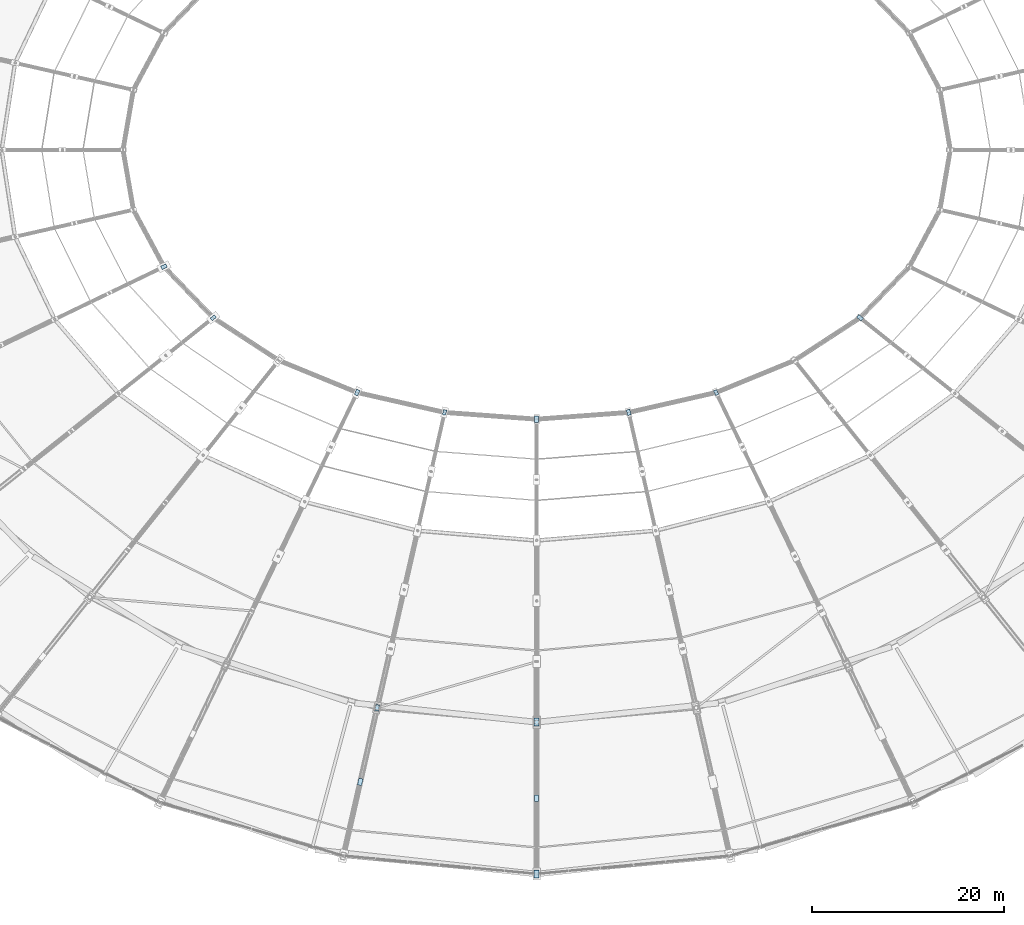
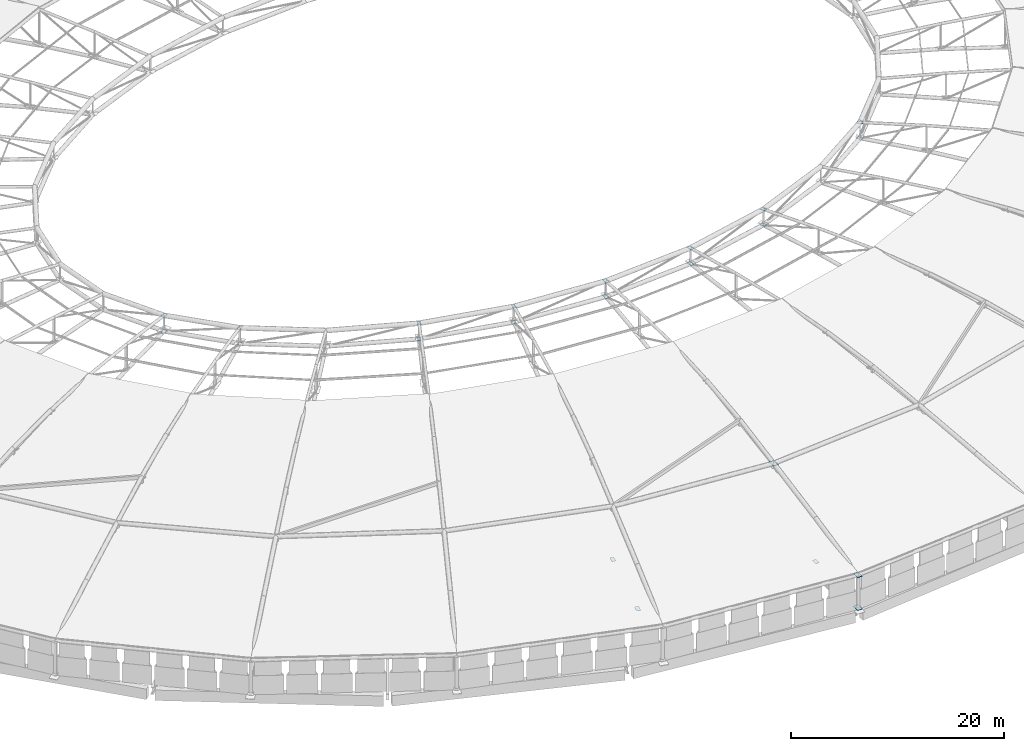
# One storey, part 96 of 108: 23 plates.
"""IFC4 building model written with IfcOpenShell, lengths in metres."""

import ifcopenshell
import ifcopenshell.guid

model = None  # the IFC model being written
_history = None  # IfcOwnerHistory: only IFC2X3 demands one
_inside = {}  # id of a spatial element -> (the spatial element, [elements in it])
_under = {}  # id of a project, library or spatial element -> (it, [spatial elements below it])
_declared = {}  # id of a project -> (the project, [libraries it declares])
_typed = {}  # id of a type object -> (the type object, [elements of that type])
_made_of = {}  # id of a material, layer set ... -> (it, [elements and type objects made of it])


def new_model(schema):
    """Start an empty IFC model of exactly this schema.

    Asked for "IFC4X3", IfcOpenShell would pick the latest addendum, in which some entities
    have other attributes; the version numbers below select the first issue.
    IFC2X3 requires an IfcOwnerHistory on every rooted entity: one is made here for all.
    """
    global model, _history
    if schema == "IFC4X3":
        model = ifcopenshell.file(schema_version=(4, 3, 0, 0))
    else:
        model = ifcopenshell.file(schema=schema)
    _inside.clear()
    _under.clear()
    _declared.clear()
    _typed.clear()
    _made_of.clear()
    _history = None
    if model.schema == "IFC2X3":
        org = make("IfcOrganization", Name="unknown")
        user = make(
            "IfcPersonAndOrganization",
            ThePerson=make("IfcPerson", FamilyName="unknown"),
            TheOrganization=org,
        )
        app = make(
            "IfcApplication",
            ApplicationDeveloper=org,
            Version="unknown",
            ApplicationFullName="unknown",
            ApplicationIdentifier="unknown",
        )
        _history = make(
            "IfcOwnerHistory",
            OwningUser=user,
            OwningApplication=app,
            ChangeAction="ADDED",
            CreationDate=0,
        )
    return model


def make(cls, **values):
    """One entity of the class cls with the attributes given. An attribute that is None is left unset."""
    return model.create_entity(
        cls, **{name: value for name, value in values.items() if value is not None}
    )


def rooted(cls, **values):
    """An entity with a GlobalId (a new one), such as an element, a storey or a relation."""
    return make(cls, GlobalId=ifcopenshell.guid.new(), OwnerHistory=_history, **values)


def si_unit(unit_type, name, prefix=None):
    """IfcSIUnit, for example si_unit("LENGTHUNIT", "METRE", prefix="MILLI")."""
    return make("IfcSIUnit", UnitType=unit_type, Prefix=prefix, Name=name)


def assignment(units):
    """IfcUnitAssignment: the units of a project."""
    return None if units is None else make("IfcUnitAssignment", Units=units)


def point(xyz):
    """IfcCartesianPoint."""
    return None if xyz is None else make("IfcCartesianPoint", Coordinates=xyz)


def direction(xyz):
    """IfcDirection."""
    return None if xyz is None else make("IfcDirection", DirectionRatios=xyz)


def frame(location, z_axis=None, x_axis=None):
    """IfcAxis2Placement3D, a coordinate frame: its origin and axes. An axis left out is left unset."""
    return make(
        "IfcAxis2Placement3D",
        Location=point(location),
        Axis=direction(z_axis),
        RefDirection=direction(x_axis),
    )


def frame_2d(location, x_axis=None):
    """IfcAxis2Placement2D, a coordinate frame in the plane: its origin and x axis."""
    return make(
        "IfcAxis2Placement2D", Location=point(location), RefDirection=direction(x_axis)
    )


def origin():
    """The frame at (0, 0, 0) with its axes left unset."""
    return frame((0.0, 0.0, 0.0))


def origin_2d():
    """The frame at (0, 0) in the plane with its x axis left unset."""
    return frame_2d((0.0, 0.0))


def place(relative_to, where):
    """IfcLocalPlacement: puts the frame where relative to a parent placement (None: the world)."""
    return make(
        "IfcLocalPlacement", PlacementRelTo=relative_to, RelativePlacement=where
    )


def context(
    kind, dimensions, precision=None, world=None, true_north=None, identifier=None
):
    """IfcGeometricRepresentationContext, for example the 3D "Model" context."""
    return make(
        "IfcGeometricRepresentationContext",
        ContextIdentifier=identifier,
        ContextType=kind,
        CoordinateSpaceDimension=dimensions,
        Precision=precision,
        WorldCoordinateSystem=world,
        TrueNorth=true_north,
    )


def subcontext(parent, identifier, kind, view, scale=None):
    """IfcGeometricRepresentationSubContext, for example "Body" below "Model"."""
    return make(
        "IfcGeometricRepresentationSubContext",
        ContextIdentifier=identifier,
        ContextType=kind,
        ParentContext=parent,
        TargetScale=scale,
        TargetView=view,
    )


def project(units=None, contexts=None):
    """IfcProject with its units and contexts."""
    return rooted(
        "IfcProject",
        Name="project",
        RepresentationContexts=contexts,
        UnitsInContext=assignment(units),
    )


def spatial(cls, under=None, at=None, **own):
    """A site, building, storey or space (cls), placed at a placement, below another one or the project."""
    s = rooted(cls, ObjectPlacement=at, **own)
    if under is not None:
        _under.setdefault(under.id(), (under, []))[1].append(s)
    return s


def profile(cls, at=None, kind="AREA", **sizes):
    """A parametric profile (cls). Its sizes go by their IFC names, for example OverallWidth=200.0."""
    return make(cls, ProfileType=kind, Position=at, **sizes)


def rectangle(**sizes):
    """IfcRectangleProfileDef."""
    return profile("IfcRectangleProfileDef", **sizes)


def extrude(swept, where, along, depth):
    """IfcExtrudedAreaSolid: the profile swept, set in the frame where, extruded along a direction by depth."""
    return make(
        "IfcExtrudedAreaSolid",
        SweptArea=swept,
        Position=where,
        ExtrudedDirection=direction(along),
        Depth=depth,
    )


def shape(context_of_items, identifier, shape_type, items):
    """IfcShapeRepresentation: the items that make up one representation, for example the "Body"."""
    return make(
        "IfcShapeRepresentation",
        ContextOfItems=context_of_items,
        RepresentationIdentifier=identifier,
        RepresentationType=shape_type,
        Items=items,
    )


def material(Name=None, Category=None):
    """IfcMaterial."""
    return make("IfcMaterial", Name=Name, Category=Category)


def layer(
    of_material, thickness, ventilated=None, Name=None, Category=None, Priority=None
):
    """IfcMaterialLayer: one layer of a wall or slab, of a material (None: an air gap)."""
    return make(
        "IfcMaterialLayer",
        Material=of_material,
        LayerThickness=thickness,
        IsVentilated=ventilated,
        Name=Name,
        Category=Category,
        Priority=Priority,
    )


def layer_set(layers, Name=None):
    """IfcMaterialLayerSet."""
    return make("IfcMaterialLayerSet", MaterialLayers=layers, LayerSetName=Name)


def made_of(thing, what):
    """Note that an element or type object is made of a material, layer set ...; save() writes the relation."""
    if what is not None:
        _made_of.setdefault(what.id(), (what, []))[1].append(thing)
    return thing


def type_object(cls, material=None, **own):
    """A type object (cls), such as IfcWallType, which elements share."""
    return made_of(rooted(cls, **own), material)


def element(
    cls,
    number,
    at=None,
    inside=None,
    cuts=None,
    type_object=None,
    material=None,
    context=None,
    identifier="Body",
    shape_type=None,
    held_by="IfcProductDefinitionShape",
    body=None,
    shapes=None,
    **own,
):
    """One element of the class cls, such as IfcWall. Its Tag is "e" and its number.

    at: its placement. inside: the storey or other place that contains it. cuts: it is an
    opening in that element (IfcRelVoidsElement). A single representation is given by context,
    identifier, shape_type and body (its items); several are given by shapes. held_by: the class
    of the entity that holds the representations. save() writes the other relations.
    """
    e = rooted(cls, Tag="e%d" % number, ObjectPlacement=at, **own)
    if body is not None:
        shapes = [shape(context, identifier, shape_type, body)]
    if shapes is not None:
        e.Representation = make(held_by, Representations=shapes)
    if inside is not None:
        _inside.setdefault(inside.id(), (inside, []))[1].append(e)
    if cuts is not None:
        rooted(
            "IfcRelVoidsElement", RelatingBuildingElement=cuts, RelatedOpeningElement=e
        )
    if type_object is not None:
        _typed.setdefault(type_object.id(), (type_object, []))[1].append(e)
    return made_of(e, material)


def aggregate(whole, parts):
    """IfcRelAggregates: a whole, such as a stair, and the parts it consists of."""
    return rooted("IfcRelAggregates", RelatingObject=whole, RelatedObjects=parts)


def save(model, path):
    """Write the relations noted so far, then the file.

    IfcRelAggregates (storeys below a building ...), IfcRelContainedInSpatialStructure (elements
    in a storey), IfcRelDefinesByType, IfcRelAssociatesMaterial and IfcRelDeclares: one each for
    every whole, place, type object, material and project.
    """
    for whole, parts in _under.values():
        aggregate(whole, parts)
    for where, things in _inside.values():
        rooted(
            "IfcRelContainedInSpatialStructure",
            RelatedElements=things,
            RelatingStructure=where,
        )
    for kind, things in _typed.values():
        rooted("IfcRelDefinesByType", RelatedObjects=things, RelatingType=kind)
    for what, things in _made_of.values():
        rooted("IfcRelAssociatesMaterial", RelatedObjects=things, RelatingMaterial=what)
    for by, libraries in _declared.values():
        rooted("IfcRelDeclares", RelatingContext=by, RelatedDefinitions=libraries)
    model.write(path)


model = new_model("IFC4")

# Units and contexts
model_context = context("Model", 3, precision=1e-05, world=origin(), true_north=direction((0.0, 1.0)))
body_context = subcontext(model_context, "Body", "Model", "MODEL_VIEW")
ifc_project = project(units=[si_unit("LENGTHUNIT", "METRE"), si_unit("AREAUNIT", "SQUARE_METRE"), si_unit("VOLUMEUNIT", "CUBIC_METRE"), si_unit("PLANEANGLEUNIT", "RADIAN"), si_unit("MASSUNIT", "GRAM", prefix="KILO")], contexts=[model_context])

# Site, building, storey
site_placement = place(None, origin())
site = spatial("IfcSite", under=ifc_project, at=site_placement, CompositionType="ELEMENT")
building_placement = place(site_placement, origin())
building = spatial("IfcBuilding", under=site, at=building_placement, Name="Zevraka Park Crest Stadium", CompositionType="ELEMENT")
storey_placement = place(building_placement, frame((0.0, 0.0, 29.39990234375)))
storey = spatial("IfcBuildingStorey", under=building, at=storey_placement, Name="RF", CompositionType="ELEMENT", Elevation=29.39990234375)

# Plates
ifc_material_1 = material(Name="Steel S355", Category="steel")
ifc_layer_1 = layer(ifc_material_1, 0.02490234375)
ifc_layer_set_1 = layer_set([ifc_layer_1], Name="Steel S355")
plate_type_1 = type_object("IfcPlateType", Name="EC01", PredefinedType="SHEET", material=ifc_layer_set_1)
for number, where, z_axis, x_axis, name in (
    (1, (112.0, 32.5, 7.1982421875), (0.0, 0.0, 1.0), (0.0, 1.0, 0.0), "Hollow Strut Top Closure Cap Plate EC01 T22-2"),
    (2, (112.0, 16.699951171875, 0.237548828125), (0.0, 0.0, 1.0), (0.0, 1.0, 0.0), "TN5 Hollow Chord End Cap Plate EC01 T22-HEEL-B"),
    (3, (112.0, 16.699951171875, 3.987548828125), (0.0, 0.0, 1.0), (0.0, 1.0, 0.0), "TN5 Hollow Chord End Cap Plate EC01 T22-HEEL-T"),
):
    element("IfcPlate", number, at=place(storey_placement, frame(where, z_axis=z_axis, x_axis=x_axis)), inside=storey, type_object=plate_type_1, Name=name, PredefinedType="SHEET", context=body_context, shape_type="SweptSolid", body=[
        extrude(rectangle(XDim=0.840087890625, YDim=0.5400390625, at=origin_2d()), origin(), (0.0, 0.0, 1.0), 0.02490234375),
    ])
ifc_material_2 = material(Name="Steel S355", Category="steel")
ifc_layer_2 = layer(ifc_material_2, 0.02490234375)
ifc_layer_set_2 = layer_set([ifc_layer_2], Name="Steel S355")
plate_type_2 = type_object("IfcPlateType", Name="EC02", PredefinedType="SHEET", material=ifc_layer_set_2)
plate_1_placement = place(storey_placement, frame((112.0, 16.699951171875, 3.998046875), z_axis=(0.0, 0.0, 1.0), x_axis=(0.0, 1.0, 0.0)))
element("IfcPlate", 4, at=plate_1_placement, inside=storey, type_object=plate_type_2, Name="Hollow Strut Top Closure Cap Plate EC02 T22-0", PredefinedType="SHEET", context=body_context, shape_type="SweptSolid", body=[
    extrude(rectangle(XDim=0.780029296875, YDim=0.5, at=origin_2d()), origin(), (0.0, 0.0, 1.0), 0.02490234375),
])
ifc_material_3 = material(Name="Steel S355", Category="steel")
ifc_layer_3 = layer(ifc_material_3, 0.02001953125)
ifc_layer_set_3 = layer_set([ifc_layer_3], Name="Steel S355")
plate_type_3 = type_object("IfcPlateType", Name="EC04", PredefinedType="SHEET", material=ifc_layer_set_3)
for number, where, z_axis, x_axis, name in (
    (5, (112.0, 64.0, 7.190185546875), (0.0, 0.0, 1.0), (0.0, 1.0, 0.0), "TN5 Hollow Chord End Cap Plate EC04 T22-TIP-B"),
    (6, (112.0, 64.0, 8.989990234375), (0.0, 0.0, 1.0), (0.0, 1.0, 0.0), "TN5 Hollow Chord End Cap Plate EC04 T22-TIP-T"),
):
    element("IfcPlate", number, at=place(storey_placement, frame(where, z_axis=z_axis, x_axis=x_axis)), inside=storey, type_object=plate_type_3, Name=name, PredefinedType="SHEET", context=body_context, shape_type="SweptSolid", body=[
        extrude(rectangle(XDim=0.659912109375, YDim=0.419921875, at=origin_2d()), origin(), (0.0, 0.0, 1.0), 0.02001953125),
    ])
ifc_material_4 = material(Name="Steel S355", Category="steel")
ifc_layer_4 = layer(ifc_material_4, 0.02001953125)
ifc_layer_set_4 = layer_set([ifc_layer_4], Name="Steel S355")
plate_type_4 = type_object("IfcPlateType", Name="EC05", PredefinedType="SHEET", material=ifc_layer_set_4)
for number, where, z_axis, x_axis, name in (
    (7, (73.258056640625, 79.85107421875, 7.190185546875), (0.0, 0.0, 1.0), (0.90100131981, 0.43381634559, 0.0), "TN5 Hollow Chord End Cap Plate EC05 T17-TIP-B"),
    (8, (73.258056640625, 79.85107421875, 8.989990234375), (0.0, 0.0, 1.0), (0.90100131981, 0.43381634559, 0.0), "TN5 Hollow Chord End Cap Plate EC05 T17-TIP-T"),
    (9, (93.343017578125, 66.77294921875, 7.190185546875), (0.0, 0.0, 1.0), (0.43381634559, 0.90100131981, 0.0), "TN5 Hollow Chord End Cap Plate EC05 T20-TIP-B"),
    (10, (93.343017578125, 66.77294921875, 8.989990234375), (0.0, 0.0, 1.0), (0.43381634559, 0.90100131981, 0.0), "TN5 Hollow Chord End Cap Plate EC05 T20-TIP-T"),
    (11, (121.568115234375, 64.701904296875, 7.190185546875), (0.0, 0.0, 1.0), (-0.222569549971, 0.974916814618, 0.0), "TN5 Hollow Chord End Cap Plate EC05 T23-TIP-B"),
    (12, (121.568115234375, 64.701904296875, 8.989990234375), (0.0, 0.0, 1.0), (-0.222569549971, 0.974916814618, 0.0), "TN5 Hollow Chord End Cap Plate EC05 T23-TIP-T"),
    (13, (145.618896484375, 74.5419921875, 7.190185546875), (0.0, 0.0, 1.0), (-0.781847027868, 0.623470308046, 0.0), "TN5 Hollow Chord End Cap Plate EC05 T26-TIP-B"),
    (14, (145.618896484375, 74.5419921875, 8.989990234375), (0.0, 0.0, 1.0), (-0.781847027868, 0.623470308046, 0.0), "TN5 Hollow Chord End Cap Plate EC05 T26-TIP-T"),
):
    element("IfcPlate", number, at=place(storey_placement, frame(where, z_axis=z_axis, x_axis=x_axis)), inside=storey, type_object=plate_type_4, Name=name, PredefinedType="SHEET", context=body_context, shape_type="SweptSolid", body=[
        extrude(rectangle(XDim=0.60009765625, YDim=0.3798828125, at=origin_2d()), origin(), (0.0, 0.0, 1.0), 0.02001953125),
    ])
ifc_material_5 = material(Name="Steel S355", Category="steel")
ifc_layer_5 = layer(ifc_material_5, 0.01806640625)
ifc_layer_set_5 = layer_set([ifc_layer_5], Name="Steel S355")
plate_type_5 = type_object("IfcPlateType", Name="EC06", PredefinedType="SHEET", material=ifc_layer_set_5)
for number, where, z_axis, x_axis, name in (
    (15, (78.381103515625, 74.5419921875, 7.191162109375), (0.0, 0.0, 1.0), (0.781847027868, 0.623470308046, 0.0), "TN5 Hollow Chord End Cap Plate EC06 T18-TIP-B"),
    (16, (78.381103515625, 74.5419921875, 8.990966796875), (0.0, 0.0, 1.0), (0.781847027868, 0.623470308046, 0.0), "TN5 Hollow Chord End Cap Plate EC06 T18-TIP-T"),
    (17, (102.431884765625, 64.701904296875, 7.191162109375), (0.0, 0.0, 1.0), (0.222569549971, 0.974916814618, 0.0), "TN5 Hollow Chord End Cap Plate EC06 T21-TIP-B"),
    (18, (102.431884765625, 64.701904296875, 8.990966796875), (0.0, 0.0, 1.0), (0.222569549971, 0.974916814618, 0.0), "TN5 Hollow Chord End Cap Plate EC06 T21-TIP-T"),
    (19, (130.656982421875, 66.77294921875, 7.191162109375), (0.0, 0.0, 1.0), (-0.43381634559, 0.90100131981, 0.0), "TN5 Hollow Chord End Cap Plate EC06 T24-TIP-B"),
    (20, (130.656982421875, 66.77294921875, 8.990966796875), (0.0, 0.0, 1.0), (-0.43381634559, 0.90100131981, 0.0), "TN5 Hollow Chord End Cap Plate EC06 T24-TIP-T"),
):
    element("IfcPlate", number, at=place(storey_placement, frame(where, z_axis=z_axis, x_axis=x_axis)), inside=storey, type_object=plate_type_5, Name=name, PredefinedType="SHEET", context=body_context, shape_type="SweptSolid", body=[
        extrude(rectangle(XDim=0.5400390625, YDim=0.340087890625, at=origin_2d()), origin(), (0.0, 0.0, 1.0), 0.01806640625),
    ])
ifc_material_6 = material(Name="Steel S355", Category="steel")
ifc_layer_6 = layer(ifc_material_6, 0.02197265625)
ifc_layer_set_6 = layer_set([ifc_layer_6], Name="Steel S355")
plate_type_6 = type_object("IfcPlateType", Name="GP09", PredefinedType="USERDEFINED", material=ifc_layer_set_6)
plate_2_placement = place(storey_placement, frame((93.6640625, 26.2900390625, 0.718994140625), z_axis=(0.0, 0.0, 1.0), x_axis=(0.222569549971, 0.974916814618, 0.0)))
element("IfcPlate", 21, at=plate_2_placement, inside=storey, type_object=plate_type_6, Name="TN1 Truss Node Gusset Plate GP09 T21-1", ObjectType="GUSSET PLATE", PredefinedType="USERDEFINED", context=body_context, shape_type="SweptSolid", body=[
    extrude(rectangle(XDim=0.719970703125, YDim=0.43994140625, at=origin_2d()), origin(), (0.0, 0.0, 1.0), 0.02197265625),
])
ifc_material_7 = material(Name="Steel S355", Category="steel")
ifc_layer_7 = layer(ifc_material_7, 0.02001953125)
ifc_layer_set_7 = layer_set([ifc_layer_7], Name="Steel S355")
plate_type_7 = type_object("IfcPlateType", Name="GP10", PredefinedType="USERDEFINED", material=ifc_layer_set_7)
for number, where, z_axis, x_axis, name in (
    (22, (95.422119140625, 33.991943359375, 1.070068359375), (0.0, 0.0, 1.0), (0.222569549971, 0.974916814618, 0.0), "TN2 Truss Node Gusset Plate GP10 T21-2"),
    (23, (112.0, 24.60009765625, 0.719970703125), (0.0, 0.0, 1.0), (0.0, 1.0, 0.0), "TN1 Truss Node Gusset Plate GP10 T22-1"),
):
    element("IfcPlate", number, at=place(storey_placement, frame(where, z_axis=z_axis, x_axis=x_axis)), inside=storey, type_object=plate_type_7, Name=name, ObjectType="GUSSET PLATE", PredefinedType="USERDEFINED", context=body_context, shape_type="SweptSolid", body=[
        extrude(rectangle(XDim=0.659912109375, YDim=0.39990234375, at=origin_2d()), origin(), (0.0, 0.0, 1.0), 0.02001953125),
    ])

save(model, "model.ifc")
